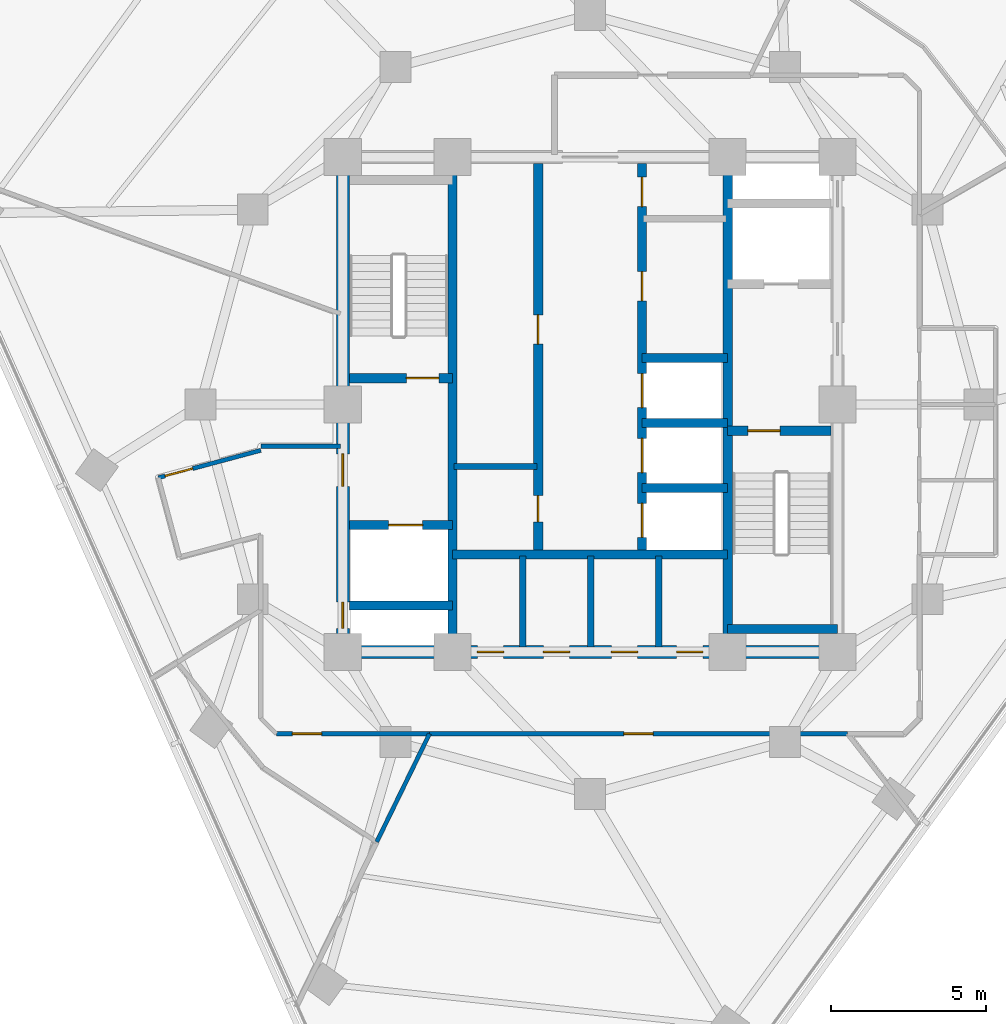
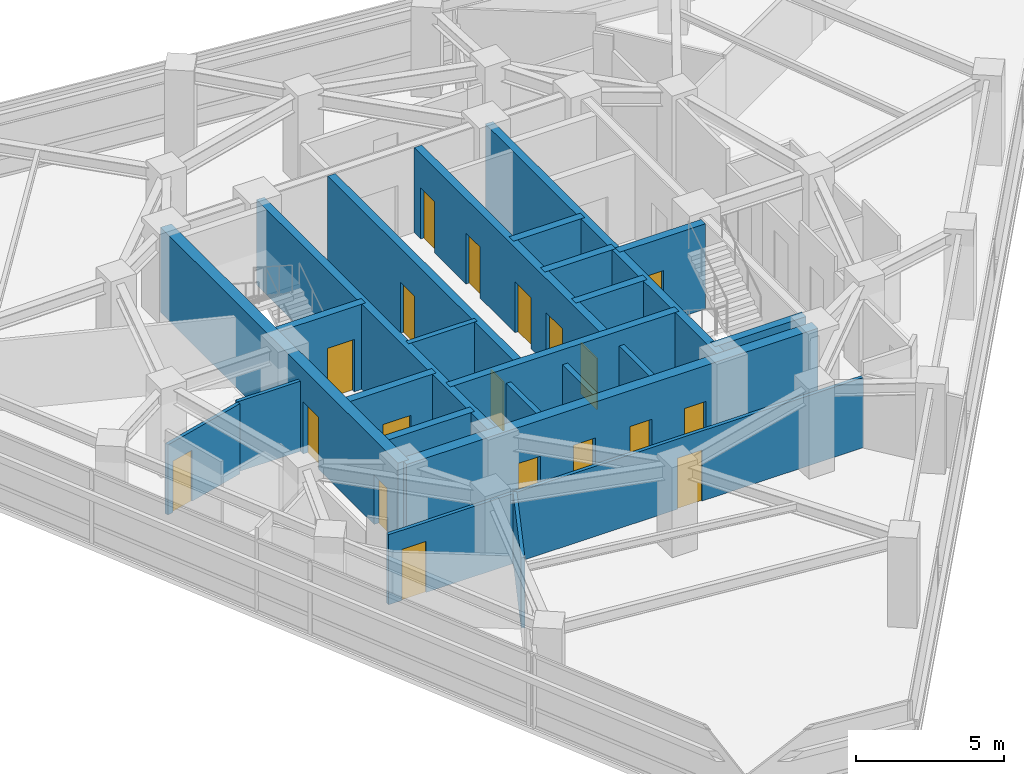
# One storey, part 8 of 14: 24 walls, 19 doors, 19 openings.
"""IFC4 building model written with IfcOpenShell, lengths in metres."""

from ifc_helpers import new_model, si_unit, direction, frame, frame_2d, origin, place, context, subcontext, project, spatial, rectangle, extrude, material, layer, layer_set, type_object, element, fill, save


model = new_model("IFC4")

# Units and contexts
model_context = context("Model", 3, precision=1e-05, world=origin(), true_north=direction((0.0, 1.0)))
body_context = subcontext(model_context, "Body", "Model", "MODEL_VIEW")
ifc_project = project(units=[si_unit("LENGTHUNIT", "METRE"), si_unit("AREAUNIT", "SQUARE_METRE"), si_unit("VOLUMEUNIT", "CUBIC_METRE"), si_unit("PLANEANGLEUNIT", "RADIAN"), si_unit("MASSUNIT", "GRAM", prefix="KILO")], contexts=[model_context])

# Site, building, storey
site_placement = place(None, origin())
site = spatial("IfcSite", under=ifc_project, at=site_placement, CompositionType="ELEMENT")
building_placement = place(site_placement, origin())
building = spatial("IfcBuilding", under=site, at=building_placement, Name="Terralouvre Media Tower", CompositionType="ELEMENT")
storey_placement = place(building_placement, frame((0.0, 0.0, 241.10009765625)))
storey = spatial("IfcBuildingStorey", under=building, at=storey_placement, Name="L62", CompositionType="ELEMENT", Elevation=241.10009765625)

# Walls
ifc_material_1 = material(Name="Concrete C50/60", Category="concrete")
ifc_layer_1 = layer(ifc_material_1, 0.300048828125, Name="Core Internal Shaft Wall CW-300")
ifc_layer_set_1 = layer_set([ifc_layer_1], Name="Concrete C50/60")
wall_type_1 = type_object("IfcWallType", Name="Core Internal Shaft Wall CW-300", PredefinedType="SHEAR", material=ifc_layer_set_1)
for number, where, z_axis, x_axis, name in (
    (1, (-4.449951171875, -7.7900390625, 0.0), (0.0, 0.0, 1.0), (0.0, 1.0, 0.0), "L62 Core Shaft Wall SPW"),
    (2, (4.449951171875, -7.7900390625, 0.0), (0.0, 0.0, 1.0), (0.0, 1.0, 0.0), "L62 Core Shaft Wall SPE"),
):
    element("IfcWall", number, at=place(storey_placement, frame(where, z_axis=z_axis, x_axis=x_axis)), inside=storey, type_object=wall_type_1, Name=name, PredefinedType="SHEAR", context=body_context, shape_type="SweptSolid", body=[
        extrude(rectangle(XDim=15.580078125, YDim=0.300048828125, at=frame_2d((7.7900390625, 0.0))), origin(), (0.0, 0.0, 1.0), 3.5),
    ])

# Wall, opening, door
wall_1_placement = place(storey_placement, frame((-7.7900390625, 0.85009765625, 0.0), z_axis=(0.0, 0.0, 1.0), x_axis=(1.0, 0.0, 0.0)))
wall_1 = element("IfcWall", 3, at=wall_1_placement, inside=storey, type_object=wall_type_1, Name="L62 Core Shaft Wall ST1D", PredefinedType="SHEAR", context=body_context, shape_type="SweptSolid", body=[
    extrude(rectangle(XDim=3.340087890625, YDim=0.300048828125, at=frame_2d((1.669921875, 0.0))), origin(), (0.0, 0.0, 1.0), 3.5),
])
opening_1_placement = place(wall_1_placement, frame((1.85009765625, 0.0, 0.0)))
opening_1 = element("IfcOpeningElement", 4, at=opening_1_placement, cuts=wall_1, Name="Opening FD-01-105X215", PredefinedType="OPENING", context=body_context, shape_type="SweptSolid", body=[
    extrude(rectangle(XDim=1.050048828125, YDim=2.14990234375, at=frame_2d((0.52490234375, 1.074951171875))), frame((0.0, 0.159912109375, 0.0), z_axis=(0.0, -1.0, 0.0), x_axis=(1.0, 0.0, 0.0)), (0.0, 0.0, 1.0), 0.320068359375),
])
ifc_material_2 = material(Name="Galvanised steel fire-resisting leaf", Category="steel")
door_type_1 = type_object("IfcDoorType", Name="Stair and Firefighting Lobby Fire Door FD-01 (1050x2150)", OperationType="NOTDEFINED", PredefinedType="DOOR", material=ifc_material_2)
door_1_placement = place(opening_1_placement, origin())
door_1 = element("IfcDoor", 5, at=door_1_placement, inside=storey, type_object=door_type_1, Name="L62 ST-01 Exit Stair Door", OperationType="SINGLE_SWING_LEFT", OverallHeight=2.14990234375, OverallWidth=1.050048828125, PredefinedType="DOOR", context=body_context, shape_type="SweptSolid", body=[
    extrude(rectangle(XDim=1.050048828125, YDim=2.14990234375, at=frame_2d((0.52490234375, 1.074951171875))), frame((0.0, 0.02490234375, 0.0), z_axis=(0.0, -1.0, 0.0), x_axis=(1.0, 0.0, 0.0)), (0.0, 0.0, 1.0), 0.050048828125),
])
fill(opening_1, door_1)

wall_2_placement = place(storey_placement, frame((4.449951171875, -0.85009765625, 0.0), z_axis=(0.0, 0.0, 1.0), x_axis=(1.0, 0.0, 0.0)))
wall_2 = element("IfcWall", 6, at=wall_2_placement, inside=storey, type_object=wall_type_1, Name="L62 Core Shaft Wall ST2D", PredefinedType="SHEAR", context=body_context, shape_type="SweptSolid", body=[
    extrude(rectangle(XDim=3.340087890625, YDim=0.300048828125, at=frame_2d((1.669921875, 0.0))), origin(), (0.0, 0.0, 1.0), 3.5),
])
opening_2_placement = place(wall_2_placement, frame((0.64990234375, 0.0, 0.0)))
opening_2 = element("IfcOpeningElement", 7, at=opening_2_placement, cuts=wall_2, Name="Opening FD-01-105X215", PredefinedType="OPENING", context=body_context, shape_type="SweptSolid", body=[
    extrude(rectangle(XDim=1.050048828125, YDim=2.14990234375, at=frame_2d((0.52490234375, 1.074951171875))), frame((0.0, 0.159912109375, 0.0), z_axis=(0.0, -1.0, 0.0), x_axis=(1.0, 0.0, 0.0)), (0.0, 0.0, 1.0), 0.320068359375),
])
door_2_placement = place(opening_2_placement, origin())
door_2 = element("IfcDoor", 8, at=door_2_placement, inside=storey, type_object=door_type_1, Name="L62 ST-02 Exit Stair Door", OperationType="SINGLE_SWING_RIGHT", OverallHeight=2.14990234375, OverallWidth=1.050048828125, PredefinedType="DOOR", context=body_context, shape_type="SweptSolid", body=[
    extrude(rectangle(XDim=1.050048828125, YDim=2.14990234375, at=frame_2d((0.52490234375, 1.074951171875))), frame((0.0, 0.02490234375, 0.0), z_axis=(0.0, -1.0, 0.0), x_axis=(1.0, 0.0, 0.0)), (0.0, 0.0, 1.0), 0.050048828125),
])
fill(opening_2, door_2)

# Wall
wall_3_placement = place(storey_placement, frame((4.449951171875, -7.260009765625, 0.0), z_axis=(0.0, 0.0, 1.0), x_axis=(1.0, 0.0, 0.0)))
element("IfcWall", 9, at=wall_3_placement, inside=storey, type_object=wall_type_1, Name="L62 Core Shaft Wall ST2F", PredefinedType="SHEAR", context=body_context, shape_type="SweptSolid", body=[
    extrude(rectangle(XDim=3.550048828125, YDim=0.300048828125, at=frame_2d((1.77490234375, 0.0))), origin(), (0.0, 0.0, 1.0), 3.5),
])

# Wall, opening, door
wall_4_placement = place(storey_placement, frame((-7.7900390625, -3.89990234375, 0.0), z_axis=(0.0, 0.0, 1.0), x_axis=(1.0, 0.0, 0.0)))
wall_4 = element("IfcWall", 10, at=wall_4_placement, inside=storey, type_object=wall_type_1, Name="L62 Core Shaft Wall FF1N", PredefinedType="SHEAR", context=body_context, shape_type="SweptSolid", body=[
    extrude(rectangle(XDim=3.340087890625, YDim=0.300048828125, at=frame_2d((1.669921875, 0.0))), origin(), (0.0, 0.0, 1.0), 3.5),
])
opening_3_placement = place(wall_4_placement, frame((1.27001953125, 0.0, 0.0)))
opening_3 = element("IfcOpeningElement", 11, at=opening_3_placement, cuts=wall_4, Name="Opening LD-FF", PredefinedType="OPENING", context=body_context, shape_type="SweptSolid", body=[
    extrude(rectangle(XDim=1.10009765625, YDim=2.10009765625, at=frame_2d((0.550048828125, 1.050048828125))), frame((0.0, 0.159912109375, 0.0), z_axis=(0.0, -1.0, 0.0), x_axis=(1.0, 0.0, 0.0)), (0.0, 0.0, 1.0), 0.320068359375),
])
ifc_material_3 = material(Name="Stainless steel 316 handrail and balustrade", Category="steel")
door_type_2 = type_object("IfcDoorType", Name="Firefighting Lift Sliding Landing Door LD-FF", OperationType="SLIDING_TO_LEFT", PredefinedType="DOOR", material=ifc_material_3)
door_3_placement = place(opening_3_placement, origin())
door_3 = element("IfcDoor", 12, at=door_3_placement, inside=storey, type_object=door_type_2, Name="L62 Firefighting Lift FFL-01 Landing Door", OperationType="SLIDING_TO_LEFT", OverallHeight=2.10009765625, OverallWidth=1.10009765625, PredefinedType="DOOR", context=body_context, shape_type="SweptSolid", body=[
    extrude(rectangle(XDim=1.10009765625, YDim=2.10009765625, at=frame_2d((0.550048828125, 1.050048828125))), frame((0.0, 0.02490234375, 0.0), z_axis=(0.0, -1.0, 0.0), x_axis=(1.0, 0.0, 0.0)), (0.0, 0.0, 1.0), 0.050048828125),
])
fill(opening_3, door_3)

# Walls
wall_5_placement = place(storey_placement, frame((-7.7900390625, -6.5, 0.0), z_axis=(0.0, 0.0, 1.0), x_axis=(1.0, 0.0, 0.0)))
element("IfcWall", 13, at=wall_5_placement, inside=storey, type_object=wall_type_1, Name="L62 Core Shaft Wall FF1S", PredefinedType="SHEAR", context=body_context, shape_type="SweptSolid", body=[
    extrude(rectangle(XDim=3.340087890625, YDim=0.300048828125, at=frame_2d((1.669921875, 0.0))), origin(), (0.0, 0.0, 1.0), 3.5),
])
wall_6_placement = place(storey_placement, frame((-4.449951171875, -4.85009765625, 0.0), z_axis=(0.0, 0.0, 1.0), x_axis=(1.0, 0.0, 0.0)))
element("IfcWall", 14, at=wall_6_placement, inside=storey, type_object=wall_type_1, Name="L62 Core Shaft Wall CSBN", PredefinedType="SHEAR", context=body_context, shape_type="SweptSolid", body=[
    extrude(rectangle(XDim=8.89990234375, YDim=0.300048828125, at=frame_2d((4.449951171875, 0.0))), origin(), (0.0, 0.0, 1.0), 3.5),
])

# Wall, openings, doors
wall_7_placement = place(storey_placement, frame((-1.679931640625, -4.85009765625, 0.0), z_axis=(0.0, 0.0, 1.0), x_axis=(0.0, 1.0, 0.0)))
wall_7 = element("IfcWall", 15, at=wall_7_placement, inside=storey, type_object=wall_type_1, Name="L62 Core Shaft Wall LBW", PredefinedType="SHEAR", context=body_context, shape_type="SweptSolid", body=[
    extrude(rectangle(XDim=12.64013671875, YDim=0.300048828125, at=frame_2d((6.320068359375, 0.0))), origin(), (0.0, 0.0, 1.0), 3.5),
])
opening_4_placement = place(wall_7_placement, frame((1.050048828125, 0.0, 0.0)))
opening_4 = element("IfcOpeningElement", 16, at=opening_4_placement, cuts=wall_7, Name="Opening TD-R1", PredefinedType="OPENING", context=body_context, shape_type="SweptSolid", body=[
    extrude(rectangle(XDim=0.85009765625, YDim=2.02001953125, at=frame_2d((0.425048828125, 1.010009765625))), frame((0.0, 0.159912109375, 0.0), z_axis=(0.0, -1.0, 0.0), x_axis=(1.0, 0.0, 0.0)), (0.0, 0.0, 1.0), 0.320068359375),
])
opening_5_placement = place(wall_7_placement, frame((6.800048828125, 0.0, 0.0)))
opening_5 = element("IfcOpeningElement", 17, at=opening_5_placement, cuts=wall_7, Name="Opening FD-02-95X210", PredefinedType="OPENING", context=body_context, shape_type="SweptSolid", body=[
    extrude(rectangle(XDim=0.949951171875, YDim=2.10009765625, at=frame_2d((0.47509765625, 1.050048828125))), frame((0.0, 0.159912109375, 0.0), z_axis=(0.0, -1.0, 0.0), x_axis=(1.0, 0.0, 0.0)), (0.0, 0.0, 1.0), 0.320068359375),
])
ifc_material_4 = material(Name="Galvanised steel fire-resisting leaf", Category="steel")
door_type_3 = type_object("IfcDoorType", Name="Plant and Riser Fire Door FD-02 (950x2100)", OperationType="NOTDEFINED", PredefinedType="DOOR", material=ifc_material_4)
door_4_placement = place(opening_5_placement, origin())
door_4 = element("IfcDoor", 18, at=door_4_placement, inside=storey, type_object=door_type_3, Name="L62 Core Patch Rack Plant Door", OperationType="SINGLE_SWING_RIGHT", OverallHeight=2.10009765625, OverallWidth=0.949951171875, PredefinedType="DOOR", context=body_context, shape_type="SweptSolid", body=[
    extrude(rectangle(XDim=0.949951171875, YDim=2.10009765625, at=frame_2d((0.47509765625, 1.050048828125))), frame((0.0, 0.02490234375, 0.0), z_axis=(0.0, -1.0, 0.0), x_axis=(1.0, 0.0, 0.0)), (0.0, 0.0, 1.0), 0.050048828125),
])
fill(opening_5, door_4)
ifc_material_5 = material(Name="Galvanised steel fire-resisting leaf", Category="steel")
door_type_4 = type_object("IfcDoorType", Name="Riser Inspection Access Trapdoor TD-R1", OperationType="NOTDEFINED", PredefinedType="TRAPDOOR", material=ifc_material_5)
door_5_placement = place(opening_4_placement, origin())
door_5 = element("IfcDoor", 19, at=door_5_placement, inside=storey, type_object=door_type_4, Name="L62 Core Cleaners Store Door", OperationType="SINGLE_SWING_LEFT", OverallHeight=2.02001953125, OverallWidth=0.85009765625, PredefinedType="TRAPDOOR", context=body_context, shape_type="SweptSolid", body=[
    extrude(rectangle(XDim=0.85009765625, YDim=2.02001953125, at=frame_2d((0.425048828125, 1.010009765625))), frame((0.0, 0.02490234375, 0.0), z_axis=(0.0, -1.0, 0.0), x_axis=(1.0, 0.0, 0.0)), (0.0, 0.0, 1.0), 0.050048828125),
])
fill(opening_4, door_5)

wall_8_placement = place(storey_placement, frame((1.679931640625, -4.85009765625, 0.0), z_axis=(0.0, 0.0, 1.0), x_axis=(0.0, 1.0, 0.0)))
wall_8 = element("IfcWall", 20, at=wall_8_placement, inside=storey, type_object=wall_type_1, Name="L62 Core Shaft Wall LBE", PredefinedType="SHEAR", context=body_context, shape_type="SweptSolid", body=[
    extrude(rectangle(XDim=12.64013671875, YDim=0.300048828125, at=frame_2d((6.320068359375, 0.0))), origin(), (0.0, 0.0, 1.0), 3.5),
])
opening_6_placement = place(wall_8_placement, frame((0.550048828125, 0.0, 0.0)))
opening_6 = element("IfcOpeningElement", 21, at=opening_6_placement, cuts=wall_8, Name="Opening LD-PL", PredefinedType="OPENING", context=body_context, shape_type="SweptSolid", body=[
    extrude(rectangle(XDim=1.10009765625, YDim=2.10009765625, at=frame_2d((0.550048828125, 1.050048828125))), frame((0.0, 0.159912109375, 0.0), z_axis=(0.0, -1.0, 0.0), x_axis=(1.0, 0.0, 0.0)), (0.0, 0.0, 1.0), 0.320068359375),
])
opening_7_placement = place(wall_8_placement, frame((2.64990234375, 0.0, 0.0)))
opening_7 = element("IfcOpeningElement", 22, at=opening_7_placement, cuts=wall_8, Name="Opening LD-PL", PredefinedType="OPENING", context=body_context, shape_type="SweptSolid", body=[
    extrude(rectangle(XDim=1.10009765625, YDim=2.10009765625, at=frame_2d((0.550048828125, 1.050048828125))), frame((0.0, 0.159912109375, 0.0), z_axis=(0.0, -1.0, 0.0), x_axis=(1.0, 0.0, 0.0)), (0.0, 0.0, 1.0), 0.320068359375),
])
opening_8_placement = place(wall_8_placement, frame((4.75, 0.0, 0.0)))
opening_8 = element("IfcOpeningElement", 23, at=opening_8_placement, cuts=wall_8, Name="Opening LD-PL", PredefinedType="OPENING", context=body_context, shape_type="SweptSolid", body=[
    extrude(rectangle(XDim=1.10009765625, YDim=2.10009765625, at=frame_2d((0.550048828125, 1.050048828125))), frame((0.0, 0.159912109375, 0.0), z_axis=(0.0, -1.0, 0.0), x_axis=(1.0, 0.0, 0.0)), (0.0, 0.0, 1.0), 0.320068359375),
])
opening_9_placement = place(wall_8_placement, frame((8.199951171875, 0.0, 0.0)))
opening_9 = element("IfcOpeningElement", 24, at=opening_9_placement, cuts=wall_8, Name="Opening FD-02-95X210", PredefinedType="OPENING", context=body_context, shape_type="SweptSolid", body=[
    extrude(rectangle(XDim=0.949951171875, YDim=2.10009765625, at=frame_2d((0.47509765625, 1.050048828125))), frame((0.0, 0.159912109375, 0.0), z_axis=(0.0, -1.0, 0.0), x_axis=(1.0, 0.0, 0.0)), (0.0, 0.0, 1.0), 0.320068359375),
])
opening_10_placement = place(wall_8_placement, frame((11.25, 0.0, 0.0)))
opening_10 = element("IfcOpeningElement", 25, at=opening_10_placement, cuts=wall_8, Name="Opening SD-02", PredefinedType="OPENING", context=body_context, shape_type="SweptSolid", body=[
    extrude(rectangle(XDim=0.949951171875, YDim=2.10009765625, at=frame_2d((0.47509765625, 1.050048828125))), frame((0.0, 0.159912109375, 0.0), z_axis=(0.0, -1.0, 0.0), x_axis=(1.0, 0.0, 0.0)), (0.0, 0.0, 1.0), 0.320068359375),
])
ifc_material_6 = material(Name="Galvanised steel fire-resisting leaf", Category="steel")
door_type_5 = type_object("IfcDoorType", Name="Core Service Sliding Fire Door SD-02", OperationType="SLIDING_TO_LEFT", PredefinedType="DOOR", material=ifc_material_6)
door_6_placement = place(opening_10_placement, origin())
door_6 = element("IfcDoor", 26, at=door_6_placement, inside=storey, type_object=door_type_5, Name="L62 Core Hospitality Store Door", OperationType="SLIDING_TO_LEFT", OverallHeight=2.10009765625, OverallWidth=0.949951171875, PredefinedType="DOOR", context=body_context, shape_type="SweptSolid", body=[
    extrude(rectangle(XDim=0.949951171875, YDim=2.10009765625, at=frame_2d((0.47509765625, 1.050048828125))), frame((0.0, 0.02490234375, 0.0), z_axis=(0.0, -1.0, 0.0), x_axis=(1.0, 0.0, 0.0)), (0.0, 0.0, 1.0), 0.050048828125),
])
fill(opening_10, door_6)
ifc_material_7 = material(Name="Stainless steel 316 handrail and balustrade", Category="steel")
door_type_6 = type_object("IfcDoorType", Name="Passenger Lift Sliding Landing Door LD-PL", OperationType="SLIDING_TO_LEFT", PredefinedType="DOOR", material=ifc_material_7)
door_7_placement = place(opening_6_placement, origin())
door_7 = element("IfcDoor", 27, at=door_7_placement, inside=storey, type_object=door_type_6, Name="L62 High-Rise Lift PL-H1 Landing Door", OperationType="SLIDING_TO_LEFT", OverallHeight=2.10009765625, OverallWidth=1.10009765625, PredefinedType="DOOR", context=body_context, shape_type="SweptSolid", body=[
    extrude(rectangle(XDim=1.10009765625, YDim=2.10009765625, at=frame_2d((0.550048828125, 1.050048828125))), frame((0.0, 0.02490234375, 0.0), z_axis=(0.0, -1.0, 0.0), x_axis=(1.0, 0.0, 0.0)), (0.0, 0.0, 1.0), 0.050048828125),
])
fill(opening_6, door_7)
door_8_placement = place(opening_7_placement, origin())
door_8 = element("IfcDoor", 28, at=door_8_placement, inside=storey, type_object=door_type_6, Name="L62 High-Rise Lift PL-H2 Landing Door", OperationType="SLIDING_TO_LEFT", OverallHeight=2.10009765625, OverallWidth=1.10009765625, PredefinedType="DOOR", context=body_context, shape_type="SweptSolid", body=[
    extrude(rectangle(XDim=1.10009765625, YDim=2.10009765625, at=frame_2d((0.550048828125, 1.050048828125))), frame((0.0, 0.02490234375, 0.0), z_axis=(0.0, -1.0, 0.0), x_axis=(1.0, 0.0, 0.0)), (0.0, 0.0, 1.0), 0.050048828125),
])
fill(opening_7, door_8)
door_9_placement = place(opening_8_placement, origin())
door_9 = element("IfcDoor", 29, at=door_9_placement, inside=storey, type_object=door_type_6, Name="L62 High-Rise Lift PL-H3 Landing Door", OperationType="SLIDING_TO_LEFT", OverallHeight=2.10009765625, OverallWidth=1.10009765625, PredefinedType="DOOR", context=body_context, shape_type="SweptSolid", body=[
    extrude(rectangle(XDim=1.10009765625, YDim=2.10009765625, at=frame_2d((0.550048828125, 1.050048828125))), frame((0.0, 0.02490234375, 0.0), z_axis=(0.0, -1.0, 0.0), x_axis=(1.0, 0.0, 0.0)), (0.0, 0.0, 1.0), 0.050048828125),
])
fill(opening_8, door_9)
door_10_placement = place(opening_9_placement, origin())
door_10 = element("IfcDoor", 30, at=door_10_placement, inside=storey, type_object=door_type_3, Name="L62 Core Telemetry Plant Door", OperationType="SINGLE_SWING_RIGHT", OverallHeight=2.10009765625, OverallWidth=0.949951171875, PredefinedType="DOOR", context=body_context, shape_type="SweptSolid", body=[
    extrude(rectangle(XDim=0.949951171875, YDim=2.10009765625, at=frame_2d((0.47509765625, 1.050048828125))), frame((0.0, 0.02490234375, 0.0), z_axis=(0.0, -1.0, 0.0), x_axis=(1.0, 0.0, 0.0)), (0.0, 0.0, 1.0), 0.050048828125),
])
fill(opening_9, door_10)

# Walls
for number, where, z_axis, x_axis, name in (
    (31, (1.679931640625, 1.5, 0.0), (0.0, 0.0, 1.0), (1.0, 0.0, 0.0), "L62 Core Shaft Wall PLMBOT"),
    (32, (1.679931640625, -2.699951171875, 0.0), (0.0, 0.0, 1.0), (1.0, 0.0, 0.0), "L62 Core Shaft Wall PLHD1"),
    (33, (1.679931640625, -0.60009765625, 0.0), (0.0, 0.0, 1.0), (1.0, 0.0, 0.0), "L62 Core Shaft Wall PLHD2"),
):
    element("IfcWall", number, at=place(storey_placement, frame(where, z_axis=z_axis, x_axis=x_axis)), inside=storey, type_object=wall_type_1, Name=name, PredefinedType="SHEAR", context=body_context, shape_type="SweptSolid", body=[
        extrude(rectangle(XDim=2.77001953125, YDim=0.300048828125, at=frame_2d((1.385009765625, 0.0))), origin(), (0.0, 0.0, 1.0), 3.5),
    ])

# Wall, openings, doors
ifc_material_8 = material(Name="Concrete C60/75", Category="concrete")
ifc_layer_2 = layer(ifc_material_8, 0.419921875, Name="Core Reinforced Concrete Shear Wall CW-420")
ifc_layer_set_2 = layer_set([ifc_layer_2], Name="Concrete C60/75")
wall_type_2 = type_object("IfcWallType", Name="Core Reinforced Concrete Shear Wall CW-420", PredefinedType="SHEAR", material=ifc_layer_set_2)
wall_9_placement = place(storey_placement, frame((-8.0, -8.0, 0.0), z_axis=(0.0, 0.0, 1.0), x_axis=(0.0, 1.0, 0.0)))
wall_9 = element("IfcWall", 34, at=wall_9_placement, inside=storey, type_object=wall_type_2, Name="L62 W Core Shear Wall", PredefinedType="SHEAR", context=body_context, shape_type="SweptSolid", body=[
    extrude(rectangle(XDim=16.0, YDim=0.419921875, at=frame_2d((8.0, 0.0))), origin(), (0.0, 0.0, 1.0), 3.5),
])
opening_11_placement = place(wall_9_placement, frame((0.76123046875, 0.0, 0.0)))
opening_11 = element("IfcOpeningElement", 35, at=opening_11_placement, cuts=wall_9, Name="Opening TD-R1", PredefinedType="OPENING", context=body_context, shape_type="SweptSolid", body=[
    extrude(rectangle(XDim=0.85009765625, YDim=2.02001953125, at=frame_2d((0.425048828125, 1.010009765625))), frame((0.0, 0.219970703125, 0.0), z_axis=(0.0, -1.0, 0.0), x_axis=(1.0, 0.0, 0.0)), (0.0, 0.0, 1.0), 0.43994140625),
])
opening_12_placement = place(wall_9_placement, frame((5.35009765625, 0.0, 0.0)))
opening_12 = element("IfcOpeningElement", 36, at=opening_12_placement, cuts=wall_9, Name="Opening FD-01-105X215", PredefinedType="OPENING", context=body_context, shape_type="SweptSolid", body=[
    extrude(rectangle(XDim=1.050048828125, YDim=2.14990234375, at=frame_2d((0.52490234375, 1.074951171875))), frame((0.0, 0.219970703125, 0.0), z_axis=(0.0, -1.0, 0.0), x_axis=(1.0, 0.0, 0.0)), (0.0, 0.0, 1.0), 0.43994140625),
])
door_11_placement = place(opening_11_placement, origin())
door_11 = element("IfcDoor", 37, at=door_11_placement, inside=storey, type_object=door_type_4, Name="L62 Wet Riser Access Trapdoor", OperationType="SINGLE_SWING_LEFT", OverallHeight=2.02001953125, OverallWidth=0.85009765625, PredefinedType="TRAPDOOR", context=body_context, shape_type="SweptSolid", body=[
    extrude(rectangle(XDim=0.85009765625, YDim=2.02001953125, at=frame_2d((0.425048828125, 1.010009765625))), frame((0.0, 0.02490234375, 0.0), z_axis=(0.0, -1.0, 0.0), x_axis=(1.0, 0.0, 0.0)), (0.0, 0.0, 1.0), 0.050048828125),
])
fill(opening_11, door_11)
door_12_placement = place(opening_12_placement, origin())
door_12 = element("IfcDoor", 38, at=door_12_placement, inside=storey, type_object=door_type_1, Name="L62 West Firefighting Lobby Entry Door", OperationType="SINGLE_SWING_RIGHT", OverallHeight=2.14990234375, OverallWidth=1.050048828125, PredefinedType="DOOR", context=body_context, shape_type="SweptSolid", body=[
    extrude(rectangle(XDim=1.050048828125, YDim=2.14990234375, at=frame_2d((0.52490234375, 1.074951171875))), frame((0.0, 0.02490234375, 0.0), z_axis=(0.0, -1.0, 0.0), x_axis=(1.0, 0.0, 0.0)), (0.0, 0.0, 1.0), 0.050048828125),
])
fill(opening_12, door_12)

wall_10_placement = place(storey_placement, frame((-8.0, -8.0, 0.0), z_axis=(0.0, 0.0, 1.0), x_axis=(1.0, 0.0, 0.0)))
wall_10 = element("IfcWall", 39, at=wall_10_placement, inside=storey, type_object=wall_type_2, Name="L62 S Core Shear Wall", PredefinedType="SHEAR", context=body_context, shape_type="SweptSolid", body=[
    extrude(rectangle(XDim=16.0, YDim=0.419921875, at=frame_2d((8.0, 0.0))), origin(), (0.0, 0.0, 1.0), 3.5),
])
opening_13_placement = place(wall_10_placement, frame((4.35009765625, 0.0, 0.0)))
opening_13 = element("IfcOpeningElement", 40, at=opening_13_placement, cuts=wall_10, Name="Opening TD-R1", PredefinedType="OPENING", context=body_context, shape_type="SweptSolid", body=[
    extrude(rectangle(XDim=0.85009765625, YDim=2.02001953125, at=frame_2d((0.425048828125, 1.010009765625))), frame((0.0, 0.219970703125, 0.0), z_axis=(0.0, -1.0, 0.0), x_axis=(1.0, 0.0, 0.0)), (0.0, 0.0, 1.0), 0.43994140625),
])
opening_14_placement = place(wall_10_placement, frame((6.489990234375, 0.0, 0.0)))
opening_14 = element("IfcOpeningElement", 41, at=opening_14_placement, cuts=wall_10, Name="Opening TD-R1", PredefinedType="OPENING", context=body_context, shape_type="SweptSolid", body=[
    extrude(rectangle(XDim=0.85009765625, YDim=2.02001953125, at=frame_2d((0.425048828125, 1.010009765625))), frame((0.0, 0.219970703125, 0.0), z_axis=(0.0, -1.0, 0.0), x_axis=(1.0, 0.0, 0.0)), (0.0, 0.0, 1.0), 0.43994140625),
])
opening_15_placement = place(wall_10_placement, frame((8.68994140625, 0.0, 0.0)))
opening_15 = element("IfcOpeningElement", 42, at=opening_15_placement, cuts=wall_10, Name="Opening TD-R1", PredefinedType="OPENING", context=body_context, shape_type="SweptSolid", body=[
    extrude(rectangle(XDim=0.85009765625, YDim=2.02001953125, at=frame_2d((0.425048828125, 1.010009765625))), frame((0.0, 0.219970703125, 0.0), z_axis=(0.0, -1.0, 0.0), x_axis=(1.0, 0.0, 0.0)), (0.0, 0.0, 1.0), 0.43994140625),
])
opening_16_placement = place(wall_10_placement, frame((10.800048828125, 0.0, 0.0)))
opening_16 = element("IfcOpeningElement", 43, at=opening_16_placement, cuts=wall_10, Name="Opening TD-R1", PredefinedType="OPENING", context=body_context, shape_type="SweptSolid", body=[
    extrude(rectangle(XDim=0.85009765625, YDim=2.02001953125, at=frame_2d((0.425048828125, 1.010009765625))), frame((0.0, 0.219970703125, 0.0), z_axis=(0.0, -1.0, 0.0), x_axis=(1.0, 0.0, 0.0)), (0.0, 0.0, 1.0), 0.43994140625),
])
door_13_placement = place(opening_13_placement, origin())
door_13 = element("IfcDoor", 44, at=door_13_placement, inside=storey, type_object=door_type_4, Name="L62 Core Battery Plant Door", OperationType="SINGLE_SWING_LEFT", OverallHeight=2.02001953125, OverallWidth=0.85009765625, PredefinedType="TRAPDOOR", context=body_context, shape_type="SweptSolid", body=[
    extrude(rectangle(XDim=0.85009765625, YDim=2.02001953125, at=frame_2d((0.425048828125, 1.010009765625))), frame((0.0, 0.02490234375, 0.0), z_axis=(0.0, -1.0, 0.0), x_axis=(1.0, 0.0, 0.0)), (0.0, 0.0, 1.0), 0.050048828125),
])
fill(opening_13, door_13)
door_14_placement = place(opening_14_placement, origin())
door_14 = element("IfcDoor", 45, at=door_14_placement, inside=storey, type_object=door_type_4, Name="L62 Core IT Patch Plant Door", OperationType="SINGLE_SWING_RIGHT", OverallHeight=2.02001953125, OverallWidth=0.85009765625, PredefinedType="TRAPDOOR", context=body_context, shape_type="SweptSolid", body=[
    extrude(rectangle(XDim=0.85009765625, YDim=2.02001953125, at=frame_2d((0.425048828125, 1.010009765625))), frame((0.0, 0.02490234375, 0.0), z_axis=(0.0, -1.0, 0.0), x_axis=(1.0, 0.0, 0.0)), (0.0, 0.0, 1.0), 0.050048828125),
])
fill(opening_14, door_14)
door_15_placement = place(opening_15_placement, origin())
door_15 = element("IfcDoor", 46, at=door_15_placement, inside=storey, type_object=door_type_4, Name="L62 Core Housekeeping Store Door", OperationType="SINGLE_SWING_LEFT", OverallHeight=2.02001953125, OverallWidth=0.85009765625, PredefinedType="TRAPDOOR", context=body_context, shape_type="SweptSolid", body=[
    extrude(rectangle(XDim=0.85009765625, YDim=2.02001953125, at=frame_2d((0.425048828125, 1.010009765625))), frame((0.0, 0.02490234375, 0.0), z_axis=(0.0, -1.0, 0.0), x_axis=(1.0, 0.0, 0.0)), (0.0, 0.0, 1.0), 0.050048828125),
])
fill(opening_15, door_15)
door_16_placement = place(opening_16_placement, origin())
door_16 = element("IfcDoor", 47, at=door_16_placement, inside=storey, type_object=door_type_4, Name="L62 Core Smoke Damper Plant Door", OperationType="SINGLE_SWING_RIGHT", OverallHeight=2.02001953125, OverallWidth=0.85009765625, PredefinedType="TRAPDOOR", context=body_context, shape_type="SweptSolid", body=[
    extrude(rectangle(XDim=0.85009765625, YDim=2.02001953125, at=frame_2d((0.425048828125, 1.010009765625))), frame((0.0, 0.02490234375, 0.0), z_axis=(0.0, -1.0, 0.0), x_axis=(1.0, 0.0, 0.0)), (0.0, 0.0, 1.0), 0.050048828125),
])
fill(opening_16, door_16)

# Walls
ifc_material_9 = material(Name="Fire-rated gypsum board drywall partition")
ifc_layer_3 = layer(ifc_material_9, 0.199951171875, Name="Fire-Rated Shaft and Lobby Partition FW-200")
ifc_layer_set_3 = layer_set([ifc_layer_3], Name="Fire-rated gypsum board drywall partition")
wall_type_3 = type_object("IfcWallType", Name="Fire-Rated Shaft and Lobby Partition FW-200", PredefinedType="SOLIDWALL", material=ifc_layer_set_3)
for number, where, z_axis, x_axis, name in (
    (48, (-2.179931640625, -7.85009765625, 0.0), (0.0, 0.0, 1.0), (0.0, 1.0, 0.0), "L62 Core Service Bay Partition 1"),
    (49, (0.02001953125, -7.85009765625, 0.0), (0.0, 0.0, 1.0), (0.0, 1.0, 0.0), "L62 Core Service Bay Partition 2"),
    (50, (2.219970703125, -7.85009765625, 0.0), (0.0, 0.0, 1.0), (0.0, 1.0, 0.0), "L62 Core Service Bay Partition 3"),
):
    element("IfcWall", number, at=place(storey_placement, frame(where, z_axis=z_axis, x_axis=x_axis)), inside=storey, type_object=wall_type_3, Name=name, PredefinedType="SOLIDWALL", context=body_context, shape_type="SweptSolid", body=[
        extrude(rectangle(XDim=2.9501953125, YDim=0.199951171875, at=frame_2d((1.47509765625, 0.0))), origin(), (0.0, 0.0, 1.0), 2.885009765625),
    ])
wall_11_placement = place(storey_placement, frame((-4.39990234375, -2.010009765625, 0.0), z_axis=(0.0, 0.0, 1.0), x_axis=(1.0, 0.0, 0.0)))
element("IfcWall", 51, at=wall_11_placement, inside=storey, type_object=wall_type_3, Name="L62 Core West Sub-Partition 1", PredefinedType="SOLIDWALL", context=body_context, shape_type="SweptSolid", body=[
    extrude(rectangle(XDim=2.679931640625, YDim=0.199951171875, at=frame_2d((1.33984375, 0.0))), origin(), (0.0, 0.0, 1.0), 3.5),
])
ifc_material_10 = material(Name="Fire-rated gypsum board drywall partition")
ifc_layer_4 = layer(ifc_material_10, 0.135009765625, Name="Newsroom Acoustic Partition PT-135")
ifc_layer_set_4 = layer_set([ifc_layer_4], Name="Fire-rated gypsum board drywall partition")
wall_type_4 = type_object("IfcWallType", Name="Newsroom Acoustic Partition PT-135", PredefinedType="PARTITIONING", material=ifc_layer_set_4)
wall_12_placement = place(storey_placement, frame((-8.080078125, -1.35009765625, 0.0), z_axis=(0.0, 0.0, 1.0), x_axis=(-1.0, 0.0, 0.0)))
element("IfcWall", 52, at=wall_12_placement, inside=storey, type_object=wall_type_4, Name="L62 Interior Partition 001", PredefinedType="PARTITIONING", context=body_context, shape_type="SweptSolid", body=[
    extrude(rectangle(XDim=2.56982421875, YDim=0.135009765625, at=frame_2d((1.284912109375, 0.0))), origin(), (0.0, 0.0, 1.0), 2.885009765625),
])

# Wall, opening, door
wall_13_placement = place(storey_placement, frame((-10.64990234375, -1.48193359375, 0.0), z_axis=(0.0, 0.0, 1.0), x_axis=(-0.965961397105, -0.2586862565, 0.0)))
wall_13 = element("IfcWall", 53, at=wall_13_placement, inside=storey, type_object=wall_type_4, Name="L62 Interior Partition 002", PredefinedType="PARTITIONING", context=body_context, shape_type="SweptSolid", body=[
    extrude(rectangle(XDim=3.4287109375, YDim=0.135009765625, at=frame_2d((1.71435546875, 0.0))), origin(), (0.0, 0.0, 1.0), 2.885009765625),
])
opening_17_placement = place(wall_13_placement, frame((2.282958984375, 0.0, 0.0)))
opening_17 = element("IfcOpeningElement", 54, at=opening_17_placement, cuts=wall_13, Name="Opening ID-03-92X210", PredefinedType="OPENING", context=body_context, shape_type="SweptSolid", body=[
    extrude(rectangle(XDim=0.919921875, YDim=2.10009765625, at=frame_2d((0.4599609375, 1.050048828125))), frame((0.0, 0.077392578125, 0.0), z_axis=(0.0, -1.0, 0.0), x_axis=(1.0, 0.0, 0.0)), (0.0, 0.0, 1.0), 0.155029296875),
])
ifc_material_11 = material(Name="Engineered hardwood acoustic timber leaf", Category="wood")
door_type_7 = type_object("IfcDoorType", Name="Accessible Restroom and Suite Door ID-03 (920x2100)", OperationType="NOTDEFINED", PredefinedType="DOOR", material=ifc_material_11)
door_17_placement = place(opening_17_placement, origin())
door_17 = element("IfcDoor", 55, at=door_17_placement, inside=storey, type_object=door_type_7, Name="L62 OB Coordination Crew Room 1 Door", OperationType="SINGLE_SWING_RIGHT", OverallHeight=2.10009765625, OverallWidth=0.919921875, PredefinedType="DOOR", context=body_context, shape_type="SweptSolid", body=[
    extrude(rectangle(XDim=0.919921875, YDim=2.10009765625, at=frame_2d((0.4599609375, 1.050048828125))), frame((0.0, 0.02490234375, 0.0), z_axis=(0.0, -1.0, 0.0), x_axis=(1.0, 0.0, 0.0)), (0.0, 0.0, 1.0), 0.050048828125),
])
fill(opening_17, door_17)

wall_14_placement = place(storey_placement, frame((-10.14990234375, -10.64990234375, 0.0), z_axis=(0.0, 0.0, 1.0), x_axis=(1.0, 0.0, 0.0)))
wall_14 = element("IfcWall", 56, at=wall_14_placement, inside=storey, type_object=wall_type_4, Name="L62 Interior Partition 008", PredefinedType="PARTITIONING", context=body_context, shape_type="SweptSolid", body=[
    extrude(rectangle(XDim=4.955810546875, YDim=0.135009765625, at=frame_2d((2.47802734375, 0.0))), origin(), (0.0, 0.0, 1.0), 2.885009765625),
])
opening_18_placement = place(wall_14_placement, frame((0.51611328125, 0.0, 0.0)))
opening_18 = element("IfcOpeningElement", 57, at=opening_18_placement, cuts=wall_14, Name="Opening ID-02-95X210", PredefinedType="OPENING", context=body_context, shape_type="SweptSolid", body=[
    extrude(rectangle(XDim=0.949951171875, YDim=2.10009765625, at=frame_2d((0.47509765625, 1.050048828125))), frame((0.0, 0.077392578125, 0.0), z_axis=(0.0, -1.0, 0.0), x_axis=(1.0, 0.0, 0.0)), (0.0, 0.0, 1.0), 0.155029296875),
])
ifc_material_12 = material(Name="Engineered hardwood acoustic timber leaf", Category="wood")
door_type_8 = type_object("IfcDoorType", Name="Office and Meeting Room Door ID-02 (950x2100)", OperationType="NOTDEFINED", PredefinedType="DOOR", material=ifc_material_12)
door_18_placement = place(opening_18_placement, origin())
door_18 = element("IfcDoor", 58, at=door_18_placement, inside=storey, type_object=door_type_8, Name="L62 Trophy and Kit Archive Storage 2 Door", OperationType="SINGLE_SWING_LEFT", OverallHeight=2.10009765625, OverallWidth=0.949951171875, PredefinedType="DOOR", context=body_context, shape_type="SweptSolid", body=[
    extrude(rectangle(XDim=0.949951171875, YDim=2.10009765625, at=frame_2d((0.47509765625, 1.050048828125))), frame((0.0, 0.02490234375, 0.0), z_axis=(0.0, -1.0, 0.0), x_axis=(1.0, 0.0, 0.0)), (0.0, 0.0, 1.0), 0.050048828125),
])
fill(opening_18, door_18)

wall_15_placement = place(storey_placement, frame((-5.194091796875, -10.64990234375, 0.0), z_axis=(0.0, 0.0, 1.0), x_axis=(1.0, 0.0, 0.0)))
wall_15 = element("IfcWall", 59, at=wall_15_placement, inside=storey, type_object=wall_type_4, Name="L62 Interior Partition 009", PredefinedType="PARTITIONING", context=body_context, shape_type="SweptSolid", body=[
    extrude(rectangle(XDim=13.51513671875, YDim=0.135009765625, at=frame_2d((6.757568359375, 0.0))), origin(), (0.0, 0.0, 1.0), 2.885009765625),
])
opening_19_placement = place(wall_15_placement, frame((6.282470703125, 0.0, 0.0)))
opening_19 = element("IfcOpeningElement", 60, at=opening_19_placement, cuts=wall_15, Name="Opening ID-02-95X210", PredefinedType="OPENING", context=body_context, shape_type="SweptSolid", body=[
    extrude(rectangle(XDim=0.949951171875, YDim=2.10009765625, at=frame_2d((0.47509765625, 1.050048828125))), frame((0.0, 0.077392578125, 0.0), z_axis=(0.0, -1.0, 0.0), x_axis=(1.0, 0.0, 0.0)), (0.0, 0.0, 1.0), 0.155029296875),
])
door_19_placement = place(opening_19_placement, origin())
door_19 = element("IfcDoor", 61, at=door_19_placement, inside=storey, type_object=door_type_8, Name="L62 Meteorology Graphics Open Office 4 Door", OperationType="SINGLE_SWING_RIGHT", OverallHeight=2.10009765625, OverallWidth=0.949951171875, PredefinedType="DOOR", context=body_context, shape_type="SweptSolid", body=[
    extrude(rectangle(XDim=0.949951171875, YDim=2.10009765625, at=frame_2d((0.47509765625, 1.050048828125))), frame((0.0, 0.02490234375, 0.0), z_axis=(0.0, -1.0, 0.0), x_axis=(1.0, 0.0, 0.0)), (0.0, 0.0, 1.0), 0.050048828125),
])
fill(opening_19, door_19)

# Wall
wall_16_placement = place(storey_placement, frame((-6.90087890625, -14.14892578125, 0.0), z_axis=(0.0, 0.0, 1.0), x_axis=(0.438412512164, 0.89877386988, 0.0)))
element("IfcWall", 62, at=wall_16_placement, inside=storey, type_object=wall_type_4, Name="L62 Interior Partition 027", PredefinedType="PARTITIONING", context=body_context, shape_type="SweptSolid", body=[
    extrude(rectangle(XDim=3.89306640625, YDim=0.135009765625, at=frame_2d((1.946533203125, 0.0))), origin(), (0.0, 0.0, 1.0), 2.885009765625),
])

save(model, "model.ifc")
